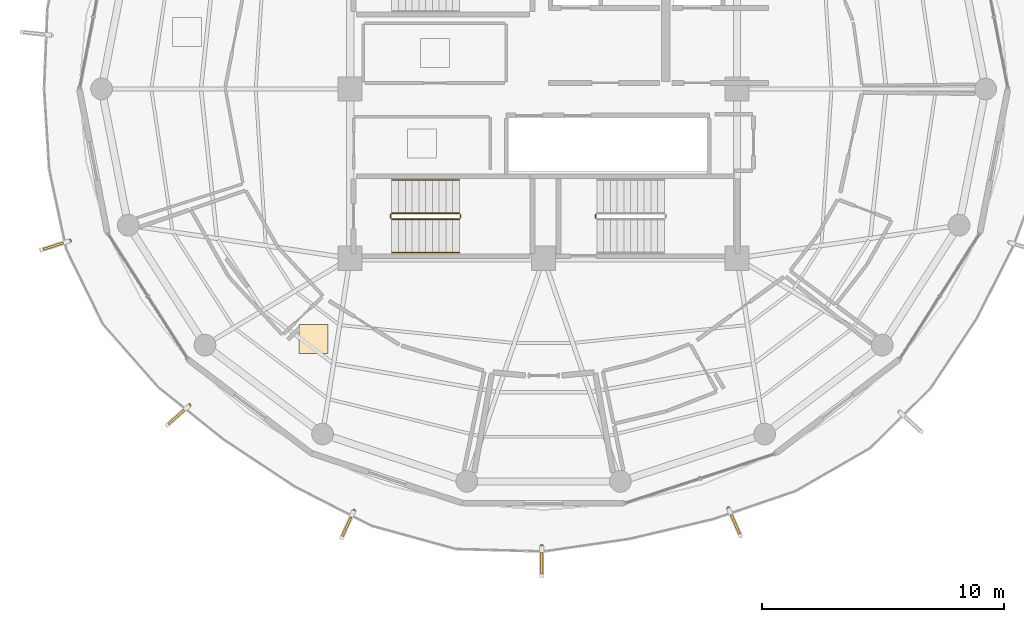
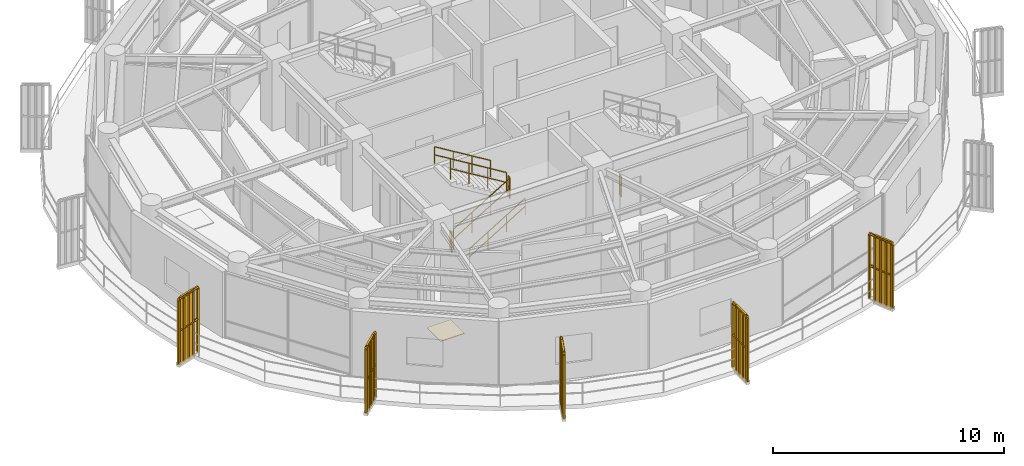
# One storey, part 19 of 22: 12 railings, 5 shading devices, 1 covering.
"""IFC4 building model written with IfcOpenShell, lengths in metres."""

from ifc_helpers import new_model, si_unit, direction, frame, origin, origin_2d, place, context, subcontext, project, spatial, polyline, rectangle, outline, extrude, source, transform, mapped, material, layer, layer_set, type_object, element, save


model = new_model("IFC4")

# Units and contexts
model_context = context("Model", 3, precision=1e-05, world=origin(), true_north=direction((0.0, 1.0)))
body_context = subcontext(model_context, "Body", "Model", "MODEL_VIEW")
ifc_project = project(units=[si_unit("LENGTHUNIT", "METRE"), si_unit("AREAUNIT", "SQUARE_METRE"), si_unit("VOLUMEUNIT", "CUBIC_METRE"), si_unit("PLANEANGLEUNIT", "RADIAN"), si_unit("MASSUNIT", "GRAM", prefix="KILO")], contexts=[model_context])

# Site, building, storey
site_placement = place(None, origin())
site = spatial("IfcSite", under=ifc_project, at=site_placement, CompositionType="ELEMENT")
building_placement = place(site_placement, origin())
building = spatial("IfcBuilding", under=site, at=building_placement, Name="Kelanora Arch Commons", CompositionType="ELEMENT")
storey_placement = place(building_placement, frame((0.0, 0.0, 274.949951171875)))
storey = spatial("IfcBuildingStorey", under=building, at=storey_placement, Name="L70", CompositionType="ELEMENT", Elevation=274.949951171875)

# Railings
ifc_material_1 = material(Name="Anodised bronze vertical shading fin rib assembly")
railing_type_1 = type_object("IfcRailingType", Name="RAIL-FIN-BRZ", PredefinedType="BALUSTRADE", material=ifc_material_1)
railing_1_placement = place(storey_placement, frame((54.409423828125, 51.718994140625, -0.02001953125)))
element("IfcRailing", 1, at=railing_1_placement, inside=storey, type_object=railing_type_1, Name="Sweeping Bronze Vertical Fin Blade L70-09", PredefinedType="BALUSTRADE", context=body_context, shape_type="SweptSolid", body=[
    extrude(outline(polyline([(0.06982421875, 0.0), (0.034912109375, 0.060546875), (-0.034912109375, 0.060546875), (-0.06982421875, 0.0), (-0.034912109375, -0.060546875), (0.034912109375, -0.060546875), (0.06982421875, 0.0)])), frame((0.0, 0.0, 3.419921875), z_axis=(-0.952221828862, -0.30540725047, 0.0), x_axis=(0.30540725047, -0.952221828862, 0.0)), (0.0, 0.0, 1.0), 1.234375),
    extrude(outline(polyline([(0.06982421875, 0.0), (0.034912109375, 0.060546875), (-0.034912109375, 0.060546875), (-0.06982421875, 0.0), (-0.034912109375, -0.060546875), (0.034912109375, -0.060546875), (0.06982421875, 0.0)])), frame((0.0, 0.0, 1.7451171875), z_axis=(-0.952221828862, -0.30540725047, 0.0), x_axis=(0.30540725047, -0.952221828862, 0.0)), (0.0, 0.0, 1.0), 1.234375),
    extrude(outline(polyline([(0.080078125, 0.0), (0.0400390625, 0.0693359375), (-0.0400390625, 0.0693359375), (-0.080078125, 0.0), (-0.0400390625, -0.0693359375), (0.0400390625, -0.0693359375), (0.080078125, 0.0)])), origin(), (0.0, 0.0, 1.0), 3.35009765625),
    extrude(outline(polyline([(0.080078125, 0.0), (0.0400390625, 0.0693359375), (-0.0400390625, 0.0693359375), (-0.080078125, 0.0), (-0.0400390625, -0.0693359375), (0.0400390625, -0.0693359375), (0.080078125, 0.0)])), frame((-0.2939453125, -0.09423828125, 0.0)), (0.0, 0.0, 1.0), 3.35009765625),
    extrude(outline(polyline([(0.080078125, 0.0), (0.0400390625, 0.0693359375), (-0.0400390625, 0.0693359375), (-0.080078125, 0.0), (-0.0400390625, -0.0693359375), (0.0400390625, -0.0693359375), (0.080078125, 0.0)])), frame((-0.587646484375, -0.1884765625, 0.0)), (0.0, 0.0, 1.0), 3.35009765625),
    extrude(outline(polyline([(0.080078125, 0.0), (0.0400390625, 0.0693359375), (-0.0400390625, 0.0693359375), (-0.080078125, 0.0), (-0.0400390625, -0.0693359375), (0.0400390625, -0.0693359375), (0.080078125, 0.0)])), frame((-0.88134765625, -0.28271484375, 0.0)), (0.0, 0.0, 1.0), 3.35009765625),
    extrude(outline(polyline([(0.080078125, 0.0), (0.0400390625, 0.0693359375), (-0.0400390625, 0.0693359375), (-0.080078125, 0.0), (-0.0400390625, -0.0693359375), (0.0400390625, -0.0693359375), (0.080078125, 0.0)])), frame((-1.17529296875, -0.376953125, 0.0)), (0.0, 0.0, 1.0), 3.35009765625),
])
railing_2_placement = place(storey_placement, frame((59.353271484375, 44.914794921875, -0.02001953125)))
element("IfcRailing", 2, at=railing_2_placement, inside=storey, type_object=railing_type_1, Name="Sweeping Bronze Vertical Fin Blade L70-10", PredefinedType="BALUSTRADE", context=body_context, shape_type="SweptSolid", body=[
    extrude(outline(polyline([(0.06982421875, 0.0), (0.034912109375, 0.060546875), (-0.034912109375, 0.060546875), (-0.06982421875, 0.0), (-0.034912109375, -0.060546875), (0.034912109375, -0.060546875), (0.06982421875, 0.0)])), frame((0.0, 0.0, 3.419921875), z_axis=(-0.745748103334, -0.666228013801, 0.0), x_axis=(0.666228013801, -0.745748103334, 0.0)), (0.0, 0.0, 1.0), 1.234130859375),
    extrude(outline(polyline([(0.06982421875, 0.0), (0.034912109375, 0.060546875), (-0.034912109375, 0.060546875), (-0.06982421875, 0.0), (-0.034912109375, -0.060546875), (0.034912109375, -0.060546875), (0.06982421875, 0.0)])), frame((0.0, 0.0, 1.7451171875), z_axis=(-0.745748103334, -0.666228013801, 0.0), x_axis=(0.666228013801, -0.745748103334, 0.0)), (0.0, 0.0, 1.0), 1.234130859375),
    extrude(outline(polyline([(0.080078125, 0.0), (0.0400390625, 0.0693359375), (-0.0400390625, 0.0693359375), (-0.080078125, 0.0), (-0.0400390625, -0.0693359375), (0.0400390625, -0.0693359375), (0.080078125, 0.0)])), origin(), (0.0, 0.0, 1.0), 3.35009765625),
    extrude(outline(polyline([(0.080078125, 0.0), (0.0400390625, 0.0693359375), (-0.0400390625, 0.0693359375), (-0.080078125, 0.0), (-0.0400390625, -0.0693359375), (0.0400390625, -0.0693359375), (0.080078125, 0.0)])), frame((-0.22998046875, -0.20556640625, 0.0)), (0.0, 0.0, 1.0), 3.35009765625),
    extrude(outline(polyline([(0.080078125, 0.0), (0.0400390625, 0.0693359375), (-0.0400390625, 0.0693359375), (-0.080078125, 0.0), (-0.0400390625, -0.0693359375), (0.0400390625, -0.0693359375), (0.080078125, 0.0)])), frame((-0.460205078125, -0.4111328125, 0.0)), (0.0, 0.0, 1.0), 3.35009765625),
    extrude(outline(polyline([(0.080078125, 0.0), (0.0400390625, 0.0693359375), (-0.0400390625, 0.0693359375), (-0.080078125, 0.0), (-0.0400390625, -0.0693359375), (0.0400390625, -0.0693359375), (0.080078125, 0.0)])), frame((-0.6904296875, -0.61669921875, 0.0)), (0.0, 0.0, 1.0), 3.35009765625),
    extrude(outline(polyline([(0.080078125, 0.0), (0.0400390625, 0.0693359375), (-0.0400390625, 0.0693359375), (-0.080078125, 0.0), (-0.0400390625, -0.0693359375), (0.0400390625, -0.0693359375), (0.080078125, 0.0)])), frame((-0.92041015625, -0.822265625, 0.0)), (0.0, 0.0, 1.0), 3.35009765625),
])
railing_3_placement = place(storey_placement, frame((66.15283203125, 40.557861328125, -0.02001953125)))
element("IfcRailing", 3, at=railing_3_placement, inside=storey, type_object=railing_type_1, Name="Sweeping Bronze Vertical Fin Blade L70-11", PredefinedType="BALUSTRADE", context=body_context, shape_type="SweptSolid", body=[
    extrude(outline(polyline([(0.06982421875, 0.0), (0.034912109375, 0.060546875), (-0.034912109375, 0.060546875), (-0.06982421875, 0.0), (-0.034912109375, -0.060546875), (0.034912109375, -0.060546875), (0.06982421875, 0.0)])), frame((0.0, 0.0, 3.419921875), z_axis=(-0.410282421271, -0.91195851594, 0.0), x_axis=(0.91195851594, -0.410282421271, 0.0)), (0.0, 0.0, 1.0), 1.234130859375),
    extrude(outline(polyline([(0.06982421875, 0.0), (0.034912109375, 0.060546875), (-0.034912109375, 0.060546875), (-0.06982421875, 0.0), (-0.034912109375, -0.060546875), (0.034912109375, -0.060546875), (0.06982421875, 0.0)])), frame((0.0, 0.0, 1.7451171875), z_axis=(-0.410282421271, -0.91195851594, 0.0), x_axis=(0.91195851594, -0.410282421271, 0.0)), (0.0, 0.0, 1.0), 1.234130859375),
    extrude(outline(polyline([(0.080078125, 0.0), (0.0400390625, 0.0693359375), (-0.0400390625, 0.0693359375), (-0.080078125, 0.0), (-0.0400390625, -0.0693359375), (0.0400390625, -0.0693359375), (0.080078125, 0.0)])), origin(), (0.0, 0.0, 1.0), 3.35009765625),
    extrude(outline(polyline([(0.080078125, 0.0), (0.0400390625, 0.0693359375), (-0.0400390625, 0.0693359375), (-0.080078125, 0.0), (-0.0400390625, -0.0693359375), (0.0400390625, -0.0693359375), (0.080078125, 0.0)])), frame((-0.12646484375, -0.28125, 0.0)), (0.0, 0.0, 1.0), 3.35009765625),
    extrude(outline(polyline([(0.080078125, 0.0), (0.0400390625, 0.0693359375), (-0.0400390625, 0.0693359375), (-0.080078125, 0.0), (-0.0400390625, -0.0693359375), (0.0400390625, -0.0693359375), (0.080078125, 0.0)])), frame((-0.253173828125, -0.562744140625, 0.0)), (0.0, 0.0, 1.0), 3.35009765625),
    extrude(outline(polyline([(0.080078125, 0.0), (0.0400390625, 0.0693359375), (-0.0400390625, 0.0693359375), (-0.080078125, 0.0), (-0.0400390625, -0.0693359375), (0.0400390625, -0.0693359375), (0.080078125, 0.0)])), frame((-0.3798828125, -0.84423828125, 0.0)), (0.0, 0.0, 1.0), 3.35009765625),
    extrude(outline(polyline([(0.080078125, 0.0), (0.0400390625, 0.0693359375), (-0.0400390625, 0.0693359375), (-0.080078125, 0.0), (-0.0400390625, -0.0693359375), (0.0400390625, -0.0693359375), (0.080078125, 0.0)])), frame((-0.50634765625, -1.12548828125, 0.0)), (0.0, 0.0, 1.0), 3.35009765625),
])
railing_4_placement = place(storey_placement, frame((73.926513671875, 39.1005859375, -0.02001953125)))
element("IfcRailing", 4, at=railing_4_placement, inside=storey, type_object=railing_type_1, Name="Sweeping Bronze Vertical Fin Blade L70-12", PredefinedType="BALUSTRADE", context=body_context, shape_type="SweptSolid", body=[
    extrude(outline(polyline([(0.06982421875, 0.0), (0.034912109375, 0.060546875), (-0.034912109375, 0.060546875), (-0.06982421875, 0.0), (-0.034912109375, -0.060546875), (0.034912109375, -0.060546875), (0.06982421875, 0.0)])), frame((0.0, 0.0, 3.419921875), z_axis=(-0.003955665254, -0.999992176326, 0.0), x_axis=(0.999992176326, -0.003955665254, 0.0)), (0.0, 0.0, 1.0), 1.234375),
    extrude(outline(polyline([(0.06982421875, 0.0), (0.034912109375, 0.060546875), (-0.034912109375, 0.060546875), (-0.06982421875, 0.0), (-0.034912109375, -0.060546875), (0.034912109375, -0.060546875), (0.06982421875, 0.0)])), frame((0.0, 0.0, 1.7451171875), z_axis=(-0.003955665254, -0.999992176326, 0.0), x_axis=(0.999992176326, -0.003955665254, 0.0)), (0.0, 0.0, 1.0), 1.234375),
    extrude(outline(polyline([(0.080078125, 0.0), (0.0400390625, 0.0693359375), (-0.0400390625, 0.0693359375), (-0.080078125, 0.0), (-0.0400390625, -0.0693359375), (0.0400390625, -0.0693359375), (0.080078125, 0.0)])), origin(), (0.0, 0.0, 1.0), 3.35009765625),
    extrude(outline(polyline([(0.080078125, 0.0), (0.0400390625, 0.0693359375), (-0.0400390625, 0.0693359375), (-0.080078125, 0.0), (-0.0400390625, -0.0693359375), (0.0400390625, -0.0693359375), (0.080078125, 0.0)])), frame((-0.001220703125, -0.30859375, 0.0)), (0.0, 0.0, 1.0), 3.35009765625),
    extrude(outline(polyline([(0.080078125, 0.0), (0.0400390625, 0.0693359375), (-0.0400390625, 0.0693359375), (-0.080078125, 0.0), (-0.0400390625, -0.0693359375), (0.0400390625, -0.0693359375), (0.080078125, 0.0)])), frame((-0.00244140625, -0.6171875, 0.0)), (0.0, 0.0, 1.0), 3.35009765625),
    extrude(outline(polyline([(0.080078125, 0.0), (0.0400390625, 0.0693359375), (-0.0400390625, 0.0693359375), (-0.080078125, 0.0), (-0.0400390625, -0.0693359375), (0.0400390625, -0.0693359375), (0.080078125, 0.0)])), frame((-0.003662109375, -0.92578125, 0.0)), (0.0, 0.0, 1.0), 3.35009765625),
    extrude(outline(polyline([(0.080078125, 0.0), (0.0400390625, 0.0693359375), (-0.0400390625, 0.0693359375), (-0.080078125, 0.0), (-0.0400390625, -0.0693359375), (0.0400390625, -0.0693359375), (0.080078125, 0.0)])), frame((-0.0048828125, -1.234375, 0.0)), (0.0, 0.0, 1.0), 3.35009765625),
])
railing_5_placement = place(storey_placement, frame((81.64111328125, 40.65673828125, -0.02001953125)))
element("IfcRailing", 5, at=railing_5_placement, inside=storey, type_object=railing_type_1, Name="Sweeping Bronze Vertical Fin Blade L70-13", PredefinedType="BALUSTRADE", context=body_context, shape_type="SweptSolid", body=[
    extrude(outline(polyline([(0.06982421875, 0.0), (0.034912109375, 0.060546875), (-0.034912109375, 0.060546875), (-0.06982421875, 0.0), (-0.034912109375, -0.060546875), (0.034912109375, -0.060546875), (0.06982421875, 0.0)])), frame((0.0, 0.0, 3.419921875), z_axis=(0.403089881868, -0.915160394213, 0.0), x_axis=(0.915160394213, 0.403089881868, 0.0)), (0.0, 0.0, 1.0), 1.234375),
    extrude(outline(polyline([(0.06982421875, 0.0), (0.034912109375, 0.060546875), (-0.034912109375, 0.060546875), (-0.06982421875, 0.0), (-0.034912109375, -0.060546875), (0.034912109375, -0.060546875), (0.06982421875, 0.0)])), frame((0.0, 0.0, 1.7451171875), z_axis=(0.403089881868, -0.915160394213, 0.0), x_axis=(0.915160394213, 0.403089881868, 0.0)), (0.0, 0.0, 1.0), 1.234375),
    extrude(outline(polyline([(0.080078125, 0.0), (0.0400390625, 0.0693359375), (-0.0400390625, 0.0693359375), (-0.080078125, 0.0), (-0.0400390625, -0.0693359375), (0.0400390625, -0.0693359375), (0.080078125, 0.0)])), origin(), (0.0, 0.0, 1.0), 3.35009765625),
    extrude(outline(polyline([(0.080078125, 0.0), (0.0400390625, 0.0693359375), (-0.0400390625, 0.0693359375), (-0.080078125, 0.0), (-0.0400390625, -0.0693359375), (0.0400390625, -0.0693359375), (0.080078125, 0.0)])), frame((0.12451171875, -0.282470703125, 0.0)), (0.0, 0.0, 1.0), 3.35009765625),
    extrude(outline(polyline([(0.080078125, 0.0), (0.0400390625, 0.0693359375), (-0.0400390625, 0.0693359375), (-0.080078125, 0.0), (-0.0400390625, -0.0693359375), (0.0400390625, -0.0693359375), (0.080078125, 0.0)])), frame((0.248779296875, -0.56494140625, 0.0)), (0.0, 0.0, 1.0), 3.35009765625),
    extrude(outline(polyline([(0.080078125, 0.0), (0.0400390625, 0.0693359375), (-0.0400390625, 0.0693359375), (-0.080078125, 0.0), (-0.0400390625, -0.0693359375), (0.0400390625, -0.0693359375), (0.080078125, 0.0)])), frame((0.373046875, -0.84716796875, 0.0)), (0.0, 0.0, 1.0), 3.35009765625),
    extrude(outline(polyline([(0.080078125, 0.0), (0.0400390625, 0.0693359375), (-0.0400390625, 0.0693359375), (-0.080078125, 0.0), (-0.0400390625, -0.0693359375), (0.0400390625, -0.0693359375), (0.080078125, 0.0)])), frame((0.49755859375, -1.129638671875, 0.0)), (0.0, 0.0, 1.0), 3.35009765625),
])
ifc_material_2 = material(Name="Painted steel stair well guard", Category="steel")
railing_type_2 = type_object("IfcRailingType", Name="RAIL-STAIR-GRD", PredefinedType="GUARDRAIL", material=ifc_material_2)
railing_6_placement = place(storey_placement, frame((76.14990234375, 52.659912109375, 0.0)))
element("IfcRailing", 6, at=railing_6_placement, inside=storey, type_object=railing_type_2, Name="L70 ST-T2 stair guard 4", PredefinedType="GUARDRAIL", context=body_context, shape_type="SweptSolid", body=[
    extrude(outline(polyline([(0.02392578125, 0.0), (0.011962890625, 0.020751953125), (-0.011962890625, 0.020751953125), (-0.02392578125, 0.0), (-0.011962890625, -0.020751953125), (0.011962890625, -0.020751953125), (0.02392578125, 0.0)])), frame((0.0, 0.0, 1.076171875), z_axis=(0.0, 1.0, 0.0), x_axis=(-1.0, 0.0, 0.0)), (0.0, 0.0, 1.0), 0.150146484375),
    extrude(outline(polyline([(0.02392578125, 0.0), (0.011962890625, 0.020751953125), (-0.011962890625, 0.020751953125), (-0.02392578125, 0.0), (-0.011962890625, -0.020751953125), (0.011962890625, -0.020751953125), (0.02392578125, 0.0)])), frame((0.0, 0.0, 0.550048828125), z_axis=(0.0, 1.0, 0.0), x_axis=(-1.0, 0.0, 0.0)), (0.0, 0.0, 1.0), 0.150146484375),
    extrude(outline(polyline([(0.02099609375, 0.0), (0.010498046875, 0.01806640625), (-0.010498046875, 0.01806640625), (-0.02099609375, 0.0), (-0.010498046875, -0.01806640625), (0.010498046875, -0.01806640625), (0.02099609375, 0.0)])), origin(), (0.0, 0.0, 1.0), 1.052001953125),
    extrude(outline(polyline([(0.02099609375, 0.0), (0.010498046875, 0.01806640625), (-0.010498046875, 0.01806640625), (-0.02099609375, 0.0), (-0.010498046875, -0.01806640625), (0.010498046875, -0.01806640625), (0.02099609375, 0.0)])), frame((0.0, 0.150146484375, 0.0)), (0.0, 0.0, 1.0), 1.052001953125),
])
railing_7_placement = place(storey_placement, frame((67.719970703125, 52.610107421875, 0.17041015625)))
element("IfcRailing", 7, at=railing_7_placement, inside=storey, type_object=railing_type_2, Name="L70 ST-T3 stair guard 1", PredefinedType="GUARDRAIL", context=body_context, shape_type="SweptSolid", body=[
    extrude(outline(polyline([(0.02392578125, 0.0), (0.011962890625, 0.020751953125), (-0.011962890625, 0.020751953125), (-0.02392578125, 0.0), (-0.011962890625, -0.020751953125), (0.011962890625, -0.020751953125), (0.02392578125, 0.0)])), frame((0.0, 0.0, 1.076171875), z_axis=(0.854169791009, 0.0, 0.51999420009), x_axis=(0.0, 1.0, 0.0)), (0.0, 0.0, 1.0), 3.278076171875),
    extrude(outline(polyline([(0.02392578125, 0.0), (0.011962890625, 0.020751953125), (-0.011962890625, 0.020751953125), (-0.02392578125, 0.0), (-0.011962890625, -0.020751953125), (0.011962890625, -0.020751953125), (0.02392578125, 0.0)])), frame((0.0, 0.0, 0.550048828125), z_axis=(0.854169791009, 0.0, 0.51999420009), x_axis=(0.0, 1.0, 0.0)), (0.0, 0.0, 1.0), 3.278076171875),
    extrude(outline(polyline([(0.02099609375, 0.0), (0.010498046875, 0.01806640625), (-0.010498046875, 0.01806640625), (-0.02099609375, 0.0), (-0.010498046875, -0.01806640625), (0.010498046875, -0.01806640625), (0.02099609375, 0.0)])), origin(), (0.0, 0.0, 1.0), 1.052001953125),
    extrude(outline(polyline([(0.02099609375, 0.0), (0.010498046875, 0.01806640625), (-0.010498046875, 0.01806640625), (-0.02099609375, 0.0), (-0.010498046875, -0.01806640625), (0.010498046875, -0.01806640625), (0.02099609375, 0.0)])), frame((0.933349609375, 0.0, 0.568115234375)), (0.0, 0.0, 1.0), 1.052001953125),
    extrude(outline(polyline([(0.02099609375, 0.0), (0.010498046875, 0.01806640625), (-0.010498046875, 0.01806640625), (-0.02099609375, 0.0), (-0.010498046875, -0.01806640625), (0.010498046875, -0.01806640625), (0.02099609375, 0.0)])), frame((1.86669921875, 0.0, 1.136474609375)), (0.0, 0.0, 1.0), 1.052001953125),
    extrude(outline(polyline([(0.02099609375, 0.0), (0.010498046875, 0.01806640625), (-0.010498046875, 0.01806640625), (-0.02099609375, 0.0), (-0.010498046875, -0.01806640625), (0.010498046875, -0.01806640625), (0.02099609375, 0.0)])), frame((2.800048828125, 0.0, 1.70458984375)), (0.0, 0.0, 1.0), 1.052001953125),
])
railing_8_placement = place(storey_placement, frame((70.570068359375, 52.659912109375, 1.875)))
element("IfcRailing", 8, at=railing_8_placement, inside=storey, type_object=railing_type_2, Name="L70 ST-T3 stair guard 2", PredefinedType="GUARDRAIL", context=body_context, shape_type="SweptSolid", body=[
    extrude(outline(polyline([(0.02392578125, 0.0), (0.011962890625, 0.020751953125), (-0.011962890625, 0.020751953125), (-0.02392578125, 0.0), (-0.011962890625, -0.020751953125), (0.011962890625, -0.020751953125), (0.02392578125, 0.0)])), frame((0.0, 0.0, 1.076171875), z_axis=(0.0, 1.0, 0.0), x_axis=(-1.0, 0.0, 0.0)), (0.0, 0.0, 1.0), 0.150146484375),
    extrude(outline(polyline([(0.02392578125, 0.0), (0.011962890625, 0.020751953125), (-0.011962890625, 0.020751953125), (-0.02392578125, 0.0), (-0.011962890625, -0.020751953125), (0.011962890625, -0.020751953125), (0.02392578125, 0.0)])), frame((0.0, 0.0, 0.550048828125), z_axis=(0.0, 1.0, 0.0), x_axis=(-1.0, 0.0, 0.0)), (0.0, 0.0, 1.0), 0.150146484375),
    extrude(outline(polyline([(0.02099609375, 0.0), (0.010498046875, 0.01806640625), (-0.010498046875, 0.01806640625), (-0.02099609375, 0.0), (-0.010498046875, -0.01806640625), (0.010498046875, -0.01806640625), (0.02099609375, 0.0)])), origin(), (0.0, 0.0, 1.0), 1.052001953125),
    extrude(outline(polyline([(0.02099609375, 0.0), (0.010498046875, 0.01806640625), (-0.010498046875, 0.01806640625), (-0.02099609375, 0.0), (-0.010498046875, -0.01806640625), (0.010498046875, -0.01806640625), (0.02099609375, 0.0)])), frame((0.0, 0.150146484375, 0.0)), (0.0, 0.0, 1.0), 1.052001953125),
])
railing_9_placement = place(storey_placement, frame((70.52001953125, 52.860107421875, 2.04541015625)))
element("IfcRailing", 9, at=railing_9_placement, inside=storey, type_object=railing_type_2, Name="L70 ST-T3 stair guard 3", PredefinedType="GUARDRAIL", context=body_context, shape_type="SweptSolid", body=[
    extrude(outline(polyline([(0.02392578125, 0.0), (0.011962890625, 0.020751953125), (-0.011962890625, 0.020751953125), (-0.02392578125, 0.0), (-0.011962890625, -0.020751953125), (0.011962890625, -0.020751953125), (0.02392578125, 0.0)])), frame((0.0, 0.0, 1.076171875), z_axis=(-0.854169791009, 0.0, 0.51999420009), x_axis=(0.0, -1.0, 0.0)), (0.0, 0.0, 1.0), 3.278076171875),
    extrude(outline(polyline([(0.02392578125, 0.0), (0.011962890625, 0.020751953125), (-0.011962890625, 0.020751953125), (-0.02392578125, 0.0), (-0.011962890625, -0.020751953125), (0.011962890625, -0.020751953125), (0.02392578125, 0.0)])), frame((0.0, 0.0, 0.550048828125), z_axis=(-0.854169791009, 0.0, 0.51999420009), x_axis=(0.0, -1.0, 0.0)), (0.0, 0.0, 1.0), 3.278076171875),
    extrude(outline(polyline([(0.02099609375, 0.0), (0.010498046875, 0.01806640625), (-0.010498046875, 0.01806640625), (-0.02099609375, 0.0), (-0.010498046875, -0.01806640625), (0.010498046875, -0.01806640625), (0.02099609375, 0.0)])), origin(), (0.0, 0.0, 1.0), 1.052001953125),
    extrude(outline(polyline([(0.02099609375, 0.0), (0.010498046875, 0.01806640625), (-0.010498046875, 0.01806640625), (-0.02099609375, 0.0), (-0.010498046875, -0.01806640625), (0.010498046875, -0.01806640625), (0.02099609375, 0.0)])), frame((-0.933349609375, 0.0, 0.568115234375)), (0.0, 0.0, 1.0), 1.052001953125),
    extrude(outline(polyline([(0.02099609375, 0.0), (0.010498046875, 0.01806640625), (-0.010498046875, 0.01806640625), (-0.02099609375, 0.0), (-0.010498046875, -0.01806640625), (0.010498046875, -0.01806640625), (0.02099609375, 0.0)])), frame((-1.86669921875, 0.0, 1.136474609375)), (0.0, 0.0, 1.0), 1.052001953125),
    extrude(outline(polyline([(0.02099609375, 0.0), (0.010498046875, 0.01806640625), (-0.010498046875, 0.01806640625), (-0.02099609375, 0.0), (-0.010498046875, -0.01806640625), (0.010498046875, -0.01806640625), (0.02099609375, 0.0)])), frame((-2.800048828125, 0.0, 1.70458984375)), (0.0, 0.0, 1.0), 1.052001953125),
])
railing_10_placement = place(storey_placement, frame((67.669921875, 52.659912109375, 0.0)))
element("IfcRailing", 10, at=railing_10_placement, inside=storey, type_object=railing_type_2, Name="L70 ST-T3 stair guard 4", PredefinedType="GUARDRAIL", context=body_context, shape_type="SweptSolid", body=[
    extrude(outline(polyline([(0.02392578125, 0.0), (0.011962890625, 0.020751953125), (-0.011962890625, 0.020751953125), (-0.02392578125, 0.0), (-0.011962890625, -0.020751953125), (0.011962890625, -0.020751953125), (0.02392578125, 0.0)])), frame((0.0, 0.0, 1.076171875), z_axis=(0.0, 1.0, 0.0), x_axis=(-1.0, 0.0, 0.0)), (0.0, 0.0, 1.0), 0.150146484375),
    extrude(outline(polyline([(0.02392578125, 0.0), (0.011962890625, 0.020751953125), (-0.011962890625, 0.020751953125), (-0.02392578125, 0.0), (-0.011962890625, -0.020751953125), (0.011962890625, -0.020751953125), (0.02392578125, 0.0)])), frame((0.0, 0.0, 0.550048828125), z_axis=(0.0, 1.0, 0.0), x_axis=(-1.0, 0.0, 0.0)), (0.0, 0.0, 1.0), 0.150146484375),
    extrude(outline(polyline([(0.02099609375, 0.0), (0.010498046875, 0.01806640625), (-0.010498046875, 0.01806640625), (-0.02099609375, 0.0), (-0.010498046875, -0.01806640625), (0.010498046875, -0.01806640625), (0.02099609375, 0.0)])), origin(), (0.0, 0.0, 1.0), 1.052001953125),
    extrude(outline(polyline([(0.02099609375, 0.0), (0.010498046875, 0.01806640625), (-0.010498046875, 0.01806640625), (-0.02099609375, 0.0), (-0.010498046875, -0.01806640625), (0.010498046875, -0.01806640625), (0.02099609375, 0.0)])), frame((0.0, 0.150146484375, 0.0)), (0.0, 0.0, 1.0), 1.052001953125),
])
ifc_material_3 = material(Name="Brushed stainless steel stair handrail", Category="steel")
railing_type_3 = type_object("IfcRailingType", Name="RAIL-STAIR-HND", PredefinedType="HANDRAIL", material=ifc_material_3)
railing_11_placement = place(storey_placement, frame((67.719970703125, 51.22998046875, 0.17041015625)))
element("IfcRailing", 11, at=railing_11_placement, inside=storey, type_object=railing_type_3, Name="L70 ST-T3 stair handrail 1", PredefinedType="HANDRAIL", context=body_context, shape_type="SweptSolid", body=[
    extrude(outline(polyline([(0.02392578125, 0.0), (0.011962890625, 0.020751953125), (-0.011962890625, 0.020751953125), (-0.02392578125, 0.0), (-0.011962890625, -0.020751953125), (0.011962890625, -0.020751953125), (0.02392578125, 0.0)])), frame((0.0, 0.0, 0.8759765625), z_axis=(0.854169791009, 0.0, 0.51999420009), x_axis=(0.0, 1.0, 0.0)), (0.0, 0.0, 1.0), 3.278076171875),
    extrude(outline(polyline([(0.02392578125, 0.0), (0.011962890625, 0.020751953125), (-0.011962890625, 0.020751953125), (-0.02392578125, 0.0), (-0.011962890625, -0.020751953125), (0.011962890625, -0.020751953125), (0.02392578125, 0.0)])), frame((0.0, 0.0, 0.449951171875), z_axis=(0.854169791009, 0.0, 0.51999420009), x_axis=(0.0, 1.0, 0.0)), (0.0, 0.0, 1.0), 3.278076171875),
    extrude(outline(polyline([(0.02099609375, 0.0), (0.010498046875, 0.01806640625), (-0.010498046875, 0.01806640625), (-0.02099609375, 0.0), (-0.010498046875, -0.01806640625), (0.010498046875, -0.01806640625), (0.02099609375, 0.0)])), origin(), (0.0, 0.0, 1.0), 0.851806640625),
    extrude(outline(polyline([(0.02099609375, 0.0), (0.010498046875, 0.01806640625), (-0.010498046875, 0.01806640625), (-0.02099609375, 0.0), (-0.010498046875, -0.01806640625), (0.010498046875, -0.01806640625), (0.02099609375, 0.0)])), frame((0.933349609375, 0.0, 0.568115234375)), (0.0, 0.0, 1.0), 0.851806640625),
    extrude(outline(polyline([(0.02099609375, 0.0), (0.010498046875, 0.01806640625), (-0.010498046875, 0.01806640625), (-0.02099609375, 0.0), (-0.010498046875, -0.01806640625), (0.010498046875, -0.01806640625), (0.02099609375, 0.0)])), frame((1.86669921875, 0.0, 1.136474609375)), (0.0, 0.0, 1.0), 0.851806640625),
    extrude(outline(polyline([(0.02099609375, 0.0), (0.010498046875, 0.01806640625), (-0.010498046875, 0.01806640625), (-0.02099609375, 0.0), (-0.010498046875, -0.01806640625), (0.010498046875, -0.01806640625), (0.02099609375, 0.0)])), frame((2.800048828125, 0.0, 1.70458984375)), (0.0, 0.0, 1.0), 0.851806640625),
])
railing_12_placement = place(storey_placement, frame((70.52001953125, 54.239990234375, 2.04541015625)))
element("IfcRailing", 12, at=railing_12_placement, inside=storey, type_object=railing_type_3, Name="L70 ST-T3 stair handrail 2", PredefinedType="HANDRAIL", context=body_context, shape_type="SweptSolid", body=[
    extrude(outline(polyline([(0.02392578125, 0.0), (0.011962890625, 0.020751953125), (-0.011962890625, 0.020751953125), (-0.02392578125, 0.0), (-0.011962890625, -0.020751953125), (0.011962890625, -0.020751953125), (0.02392578125, 0.0)])), frame((0.0, 0.0, 0.8759765625), z_axis=(-0.854169791009, 0.0, 0.51999420009), x_axis=(0.0, -1.0, 0.0)), (0.0, 0.0, 1.0), 3.278076171875),
    extrude(outline(polyline([(0.02392578125, 0.0), (0.011962890625, 0.020751953125), (-0.011962890625, 0.020751953125), (-0.02392578125, 0.0), (-0.011962890625, -0.020751953125), (0.011962890625, -0.020751953125), (0.02392578125, 0.0)])), frame((0.0, 0.0, 0.449951171875), z_axis=(-0.854169791009, 0.0, 0.51999420009), x_axis=(0.0, -1.0, 0.0)), (0.0, 0.0, 1.0), 3.278076171875),
    extrude(outline(polyline([(0.02099609375, 0.0), (0.010498046875, 0.01806640625), (-0.010498046875, 0.01806640625), (-0.02099609375, 0.0), (-0.010498046875, -0.01806640625), (0.010498046875, -0.01806640625), (0.02099609375, 0.0)])), origin(), (0.0, 0.0, 1.0), 0.851806640625),
    extrude(outline(polyline([(0.02099609375, 0.0), (0.010498046875, 0.01806640625), (-0.010498046875, 0.01806640625), (-0.02099609375, 0.0), (-0.010498046875, -0.01806640625), (0.010498046875, -0.01806640625), (0.02099609375, 0.0)])), frame((-0.933349609375, 0.0, 0.568115234375)), (0.0, 0.0, 1.0), 0.851806640625),
    extrude(outline(polyline([(0.02099609375, 0.0), (0.010498046875, 0.01806640625), (-0.010498046875, 0.01806640625), (-0.02099609375, 0.0), (-0.010498046875, -0.01806640625), (0.010498046875, -0.01806640625), (0.02099609375, 0.0)])), frame((-1.86669921875, 0.0, 1.136474609375)), (0.0, 0.0, 1.0), 0.851806640625),
    extrude(outline(polyline([(0.02099609375, 0.0), (0.010498046875, 0.01806640625), (-0.010498046875, 0.01806640625), (-0.02099609375, 0.0), (-0.010498046875, -0.01806640625), (0.010498046875, -0.01806640625), (0.02099609375, 0.0)])), frame((-2.800048828125, 0.0, 1.70458984375)), (0.0, 0.0, 1.0), 0.851806640625),
])

# Shading devices
ifc_material_4 = material(Name="Terracotta ceramic-clad extruded aluminium fin", Category="masonry")
shading_device_type = type_object("IfcShadingDeviceType", Name="SHD-FIN-FLARE", PredefinedType="USERDEFINED", material=ifc_material_4)
shared_shape_1 = source(origin(), body_context, "Body", "SweptSolid", [
    extrude(rectangle(XDim=0.8798828125, YDim=0.090087890625, at=origin_2d()), origin(), (0.0, 0.0, 1.0), 3.610107421875),
])
for number, where, z_axis, x_axis, name in (
    (13, (53.723876953125, 51.4990234375, -0.14013671875), (0.0, 0.0, 1.0), (-0.952236042525, -0.30536293049, 0.0), "Sweeping Terracotta Fin L70-09"),
    (14, (58.81640625, 44.435302734375, -0.14013671875), (0.0, 0.0, 1.0), (-0.745708617985, -0.666272209433, 0.0), "Sweeping Terracotta Fin L70-10"),
    (15, (65.857421875, 39.9013671875, -0.14013671875), (0.0, 0.0, 1.0), (-0.410241398845, -0.911976970473, 0.0), "Sweeping Terracotta Fin L70-11"),
    (16, (73.923583984375, 38.380615234375, -0.14013671875), (0.0, 0.0, 1.0), (-0.003839714919, -0.999992628267, 0.0), "Sweeping Terracotta Fin L70-12"),
    (17, (81.931396484375, 39.997802734375, -0.14013671875), (0.0, 0.0, 1.0), (0.403225890599, -0.915100475986, 0.0), "Sweeping Terracotta Fin L70-13"),
):
    element("IfcShadingDevice", number, at=place(storey_placement, frame(where, z_axis=z_axis, x_axis=x_axis)), inside=storey, type_object=shading_device_type, Name=name, ObjectType="FIN", PredefinedType="USERDEFINED", context=body_context, shape_type="MappedRepresentation", body=[
        mapped(shared_shape_1, transform((0.0, 0.0, 0.0), scale=1.0)),
    ])

# Covering
ifc_material_5 = material(Name="Polished local granite terrazzo flooring", Category="masonry")
ifc_layer = layer(ifc_material_5, 0.030029296875)
ifc_layer_set = layer_set([ifc_layer], Name="Polished local granite terrazzo flooring")
covering_type = type_object("IfcCoveringType", Name="COV-FLR-TER", PredefinedType="FLOORING", material=ifc_layer_set)
shared_shape_2 = source(origin(), body_context, "Body", "SweptSolid", [
    extrude(rectangle(XDim=1.199951171875, YDim=1.199951171875, at=origin_2d()), origin(), (0.0, 0.0, 1.0), 0.030029296875),
])
covering_placement = place(storey_placement, frame((64.482177734375, 47.666259765625, 0.0), z_axis=(0.0, 0.0, 1.0), x_axis=(1.0, 0.0, 0.0)))
element("IfcCovering", 18, at=covering_placement, inside=storey, type_object=covering_type, Name="Co-Living Studio L70-07 Terrazzo Finish", PredefinedType="FLOORING", context=body_context, shape_type="MappedRepresentation", body=[
    mapped(shared_shape_2, transform((0.0, 0.0, 0.0), scale=1.0)),
])

save(model, "model.ifc")
